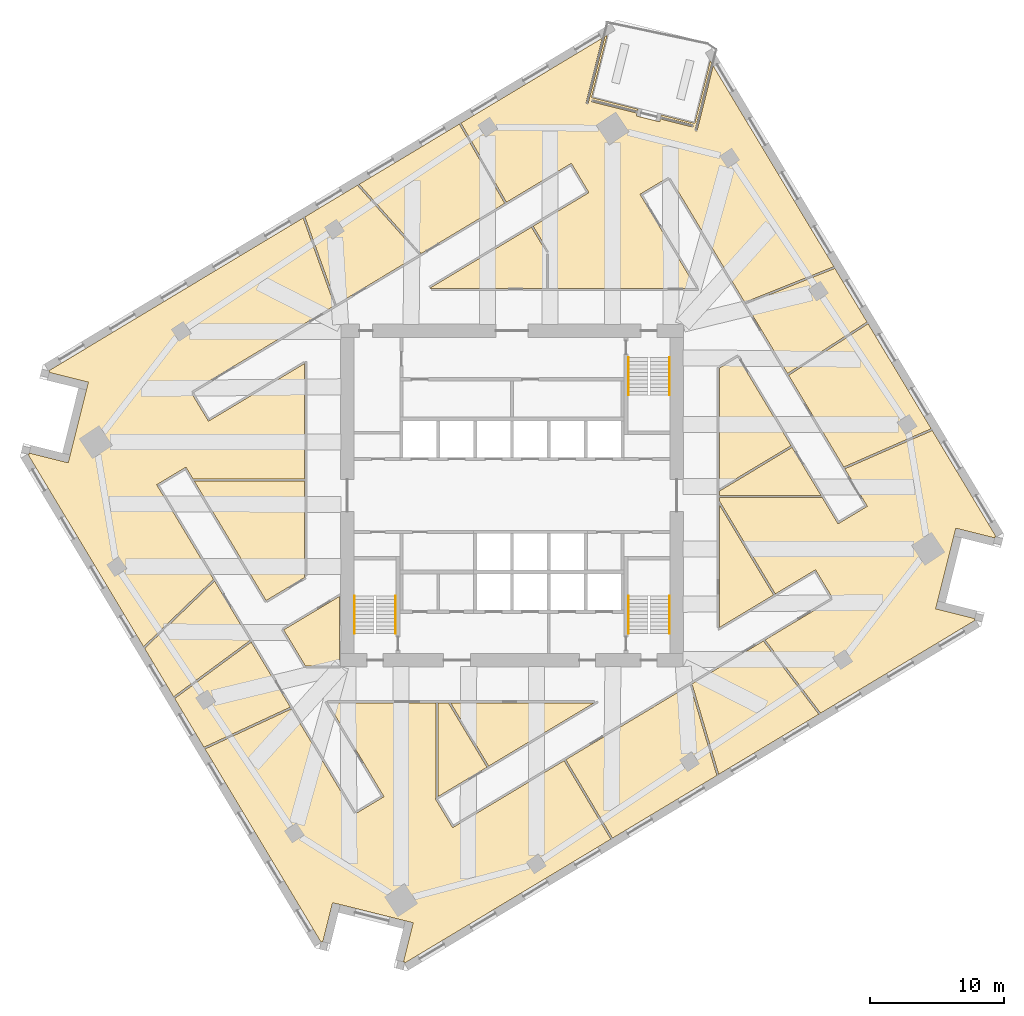
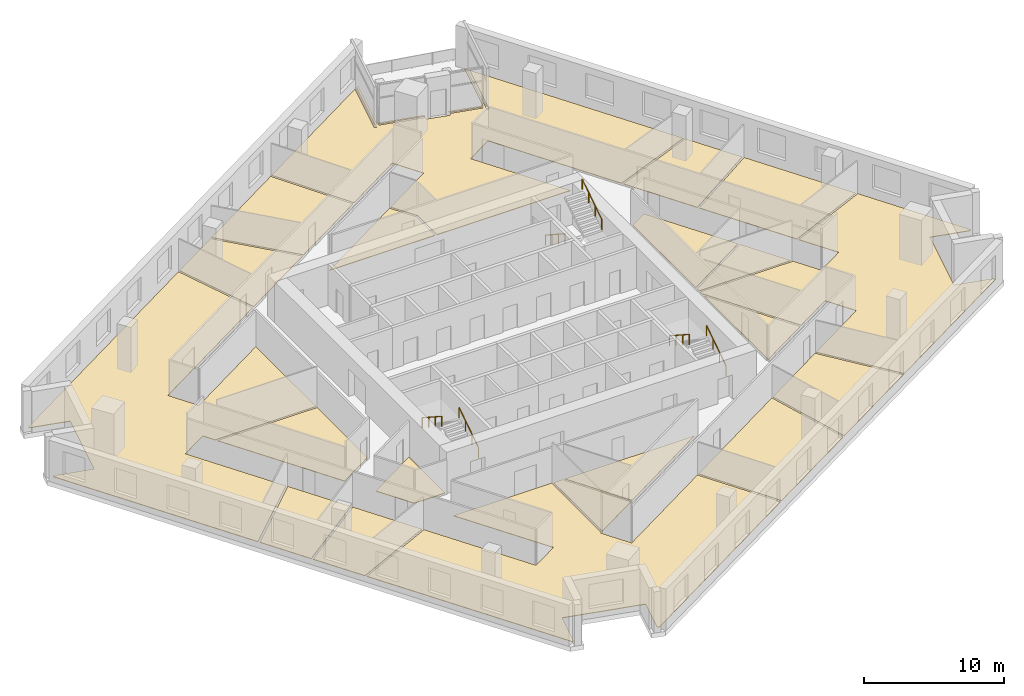
# One storey, part 12 of 14: 20 coverings, 6 railings.
"""IFC4 building model written with IfcOpenShell, lengths in metres."""

from ifc_helpers import new_model, si_unit, direction, frame, origin, origin_2d, place, context, subcontext, project, spatial, polyline, circle, outline, extrude, material, layer, layer_set, type_object, element, save


model = new_model("IFC4")

# Units and contexts
model_context = context("Model", 3, precision=1e-05, world=origin(), true_north=direction((0.0, 1.0)))
body_context = subcontext(model_context, "Body", "Model", "MODEL_VIEW")
ifc_project = project(units=[si_unit("LENGTHUNIT", "METRE"), si_unit("AREAUNIT", "SQUARE_METRE"), si_unit("VOLUMEUNIT", "CUBIC_METRE"), si_unit("PLANEANGLEUNIT", "RADIAN"), si_unit("MASSUNIT", "GRAM", prefix="KILO")], contexts=[model_context])

# Site, building, storey
site_placement = place(None, origin())
site = spatial("IfcSite", under=ifc_project, at=site_placement, CompositionType="ELEMENT")
building_placement = place(site_placement, origin())
building = spatial("IfcBuilding", under=site, at=building_placement, Name="Dilmun Exchange Tower", CompositionType="ELEMENT")
storey_placement = place(building_placement, frame((0.0, 0.0, 147.699951171875)))
storey = spatial("IfcBuildingStorey", under=building, at=storey_placement, Name="L34", CompositionType="ELEMENT", Elevation=147.699951171875)

# Coverings
ifc_material_1 = material(Name="Carpet floor finish 50")
ifc_layer_1 = layer(ifc_material_1, 0.050048828125)
ifc_layer_set_1 = layer_set([ifc_layer_1], Name="Carpet floor finish 50")
covering_type_1 = type_object("IfcCoveringType", Name="Carpet floor finish 50", PredefinedType="FLOORING", material=ifc_layer_set_1)
covering_1_placement = place(storey_placement, origin())
element("IfcCovering", 1, at=covering_1_placement, inside=storey, type_object=covering_type_1, Name="Carpet floor finish 50 Open office 1", PredefinedType="FLOORING", context=body_context, shape_type="SweptSolid", body=[
    extrude(outline(polyline([(-13.245361328125, 14.181884765625), (-23.979248046875, 7.732177734375), (-22.666015625, 5.54638671875), (-15.47509765625, 9.8671875), (-15.47509765625, 1.2392578125), (-23.818359375, 1.2392578125), (-24.343994140625, 2.114013671875), (-26.52978515625, 0.80078125), (-22.287109375, -6.260009765625), (-27.5126953125, -11.290283203125), (-36.1455078125, 3.076904296875), (-36.07666015625, 3.059814453125), (-36.076416015625, 3.059814453125), (-36.076416015625, 3.059814453125), (-36.076171875, 3.059814453125), (-36.075927734375, 3.059814453125), (-36.07568359375, 3.059814453125), (-36.075439453125, 3.059814453125), (-36.075439453125, 3.059814453125), (-36.0751953125, 3.06005859375), (-36.074951171875, 3.06005859375), (-36.074951171875, 3.060302734375), (-36.07470703125, 3.060302734375), (-36.07470703125, 3.060546875), (-36.074462890625, 3.060791015625), (-36.074462890625, 3.060791015625), (-36.07421875, 3.06103515625), (-36.07421875, 3.061279296875), (-36.0478515625, 3.167236328125), (-33.138916015625, 2.44189453125), (-33.138671875, 2.44189453125), (-33.138427734375, 2.44189453125), (-33.13818359375, 2.44189453125), (-33.13818359375, 2.44189453125), (-33.137939453125, 2.44189453125), (-33.1376953125, 2.44189453125), (-33.137451171875, 2.442138671875), (-33.13720703125, 2.442138671875), (-33.13720703125, 2.4423828125), (-33.136962890625, 2.4423828125), (-33.136962890625, 2.442626953125), (-33.13671875, 2.442626953125), (-33.13671875, 2.44287109375), (-33.13671875, 2.443115234375), (-33.136474609375, 2.443115234375), (-33.136474609375, 2.443359375), (-32.9912109375, 3.025634765625), (-32.9912109375, 3.025634765625), (-32.9912109375, 3.025634765625), (-31.78173828125, 7.876953125), (-31.781494140625, 7.877197265625), (-31.781494140625, 7.87744140625), (-31.781494140625, 7.877685546875), (-31.63671875, 8.459228515625), (-31.63671875, 8.45947265625), (-31.636474609375, 8.459716796875), (-31.636474609375, 8.4599609375), (-31.63671875, 8.460205078125), (-31.63671875, 8.460205078125), (-31.63671875, 8.46044921875), (-31.63671875, 8.460693359375), (-31.63671875, 8.460693359375), (-31.636962890625, 8.4609375), (-31.636962890625, 8.461181640625), (-31.63720703125, 8.461181640625), (-31.63720703125, 8.46142578125), (-31.637451171875, 8.46142578125), (-31.6376953125, 8.461669921875), (-31.637939453125, 8.461669921875), (-31.637939453125, 8.461669921875), (-34.546875, 9.18701171875), (-34.5205078125, 9.29296875), (-34.5205078125, 9.293212890625), (-34.5205078125, 9.29345703125), (-34.5205078125, 9.293701171875), (-34.5205078125, 9.293701171875), (-34.5205078125, 9.2939453125), (-34.5205078125, 9.294189453125), (-34.5205078125, 9.29443359375), (-34.520751953125, 9.29443359375), (-34.520751953125, 9.294677734375), (-34.52099609375, 9.294921875), (-34.52099609375, 9.294921875), (-34.521240234375, 9.295166015625), (-34.521484375, 9.295166015625), (-34.521484375, 9.29541015625), (-34.521728515625, 9.29541015625), (-34.52197265625, 9.29541015625), (-34.5908203125, 9.3125), (-15.595947265625, 20.725830078125), (-13.245361328125, 14.181884765625)])), origin(), (0.0, 0.0, 1.0), 0.050048828125),
])
covering_2_placement = place(storey_placement, origin())
element("IfcCovering", 2, at=covering_2_placement, inside=storey, type_object=covering_type_1, Name="Carpet floor finish 50 Open office 2", PredefinedType="FLOORING", context=body_context, shape_type="SweptSolid", body=[
    extrude(outline(polyline([(-4.430419921875, -24.802490234375), (3.889892578125, -19.802978515625), (7.38037109375, -25.662353515625), (-8.016845703125, -34.913818359375), (-7.999755859375, -34.844970703125), (-7.99951171875, -34.8447265625), (-7.99951171875, -34.844482421875), (-7.99951171875, -34.844482421875), (-7.99951171875, -34.84423828125), (-7.999755859375, -34.843994140625), (-7.999755859375, -34.84375), (-7.999755859375, -34.84375), (-8.0, -34.843505859375), (-8.0, -34.84326171875), (-8.0, -34.84326171875), (-8.000244140625, -34.843017578125), (-8.00048828125, -34.843017578125), (-8.00048828125, -34.8427734375), (-8.000732421875, -34.8427734375), (-8.0009765625, -34.842529296875), (-8.001220703125, -34.842529296875), (-8.107177734375, -34.816162109375), (-7.3818359375, -31.9072265625), (-7.3818359375, -31.906982421875), (-7.3818359375, -31.906982421875), (-7.3818359375, -31.90673828125), (-7.3818359375, -31.906494140625), (-7.3818359375, -31.90625), (-7.3818359375, -31.906005859375), (-7.382080078125, -31.906005859375), (-7.382080078125, -31.90576171875), (-7.382080078125, -31.905517578125), (-7.38232421875, -31.905517578125), (-7.382568359375, -31.9052734375), (-7.382568359375, -31.9052734375), (-7.3828125, -31.905029296875), (-7.383056640625, -31.905029296875), (-7.383056640625, -31.90478515625), (-7.38330078125, -31.90478515625), (-7.965576171875, -31.759765625), (-7.965576171875, -31.759765625), (-12.816650390625, -30.55029296875), (-12.81689453125, -30.550048828125), (-12.81689453125, -30.550048828125), (-13.399169921875, -30.40478515625), (-13.3994140625, -30.40478515625), (-13.399658203125, -30.40478515625), (-13.39990234375, -30.40478515625), (-13.39990234375, -30.40478515625), (-13.400146484375, -30.40478515625), (-13.400390625, -30.40478515625), (-13.400390625, -30.405029296875), (-13.400634765625, -30.405029296875), (-13.40087890625, -30.4052734375), (-13.40087890625, -30.4052734375), (-13.401123046875, -30.405517578125), (-13.4013671875, -30.405517578125), (-13.4013671875, -30.40576171875), (-13.401611328125, -30.406005859375), (-13.401611328125, -30.406005859375), (-13.401611328125, -30.40625), (-14.126953125, -33.315185546875), (-14.23291015625, -33.288818359375), (-14.233154296875, -33.288818359375), (-14.2333984375, -33.288818359375), (-14.2333984375, -33.288818359375), (-14.233642578125, -33.288818359375), (-14.23388671875, -33.288818359375), (-14.234130859375, -33.288818359375), (-14.234375, -33.2890625), (-14.234375, -33.2890625), (-14.234619140625, -33.289306640625), (-14.23486328125, -33.289306640625), (-14.23486328125, -33.28955078125), (-14.235107421875, -33.28955078125), (-14.235107421875, -33.289794921875), (-14.235107421875, -33.2900390625), (-14.2353515625, -33.2900390625), (-14.2353515625, -33.290283203125), (-14.25244140625, -33.359130859375), (-22.92333984375, -18.92822265625), (-16.4755859375, -15.93212890625), (-11.748046875, -23.80029296875), (-9.562255859375, -22.48681640625), (-13.775390625, -15.47509765625), (-5.657958984375, -15.47509765625), (-5.657958984375, -22.565185546875), (-5.743896484375, -22.61669921875), (-4.430419921875, -24.802490234375)])), origin(), (0.0, 0.0, 1.0), 0.050048828125),
])
covering_3_placement = place(storey_placement, origin())
element("IfcCovering", 3, at=covering_3_placement, inside=storey, type_object=covering_type_1, Name="Carpet floor finish 50 Executive office 1", PredefinedType="FLOORING", context=body_context, shape_type="SweptSolid", body=[
    extrude(outline(polyline([(-0.543212890625, 21.81396484375), (-6.7900390625, 18.060546875), (-11.4111328125, 23.240234375), (-3.93310546875, 27.733642578125), (-0.543212890625, 21.81396484375)])), origin(), (0.0, 0.0, 1.0), 0.050048828125),
])
covering_4_placement = place(storey_placement, origin())
element("IfcCovering", 4, at=covering_4_placement, inside=storey, type_object=covering_type_1, Name="Carpet floor finish 50 Business lounge 1", PredefinedType="FLOORING", context=body_context, shape_type="SweptSolid", body=[
    extrude(outline(polyline([(2.581787109375, 18.15576171875), (2.581787109375, 15.47509765625), (-6.11376953125, 15.47509765625), (-6.121337890625, 15.4873046875), (1.451416015625, 20.03759765625), (2.581787109375, 18.15576171875)])), origin(), (0.0, 0.0, 1.0), 0.050048828125),
])
covering_5_placement = place(storey_placement, origin())
element("IfcCovering", 5, at=covering_5_placement, inside=storey, type_object=covering_type_1, Name="Carpet floor finish 50 Garden lounge", PredefinedType="FLOORING", context=body_context, shape_type="SweptSolid", body=[
    extrude(outline(polyline([(2.73193359375, 15.47509765625), (2.73193359375, 18.197509765625), (1.579833984375, 20.11474609375), (5.743896484375, 22.61669921875), (4.430419921875, 24.802490234375), (-0.41455078125, 21.891357421875), (-3.804443359375, 27.810791015625), (6.734619140625, 34.143310546875), (5.521728515625, 29.279052734375), (5.521728515625, 29.27880859375), (5.521728515625, 29.27880859375), (5.521728515625, 29.278564453125), (5.521728515625, 29.2783203125), (5.521728515625, 29.2783203125), (5.52197265625, 29.278076171875), (5.52197265625, 29.27783203125), (5.522216796875, 29.277587890625), (5.522216796875, 29.277587890625), (5.522216796875, 29.27734375), (5.5224609375, 29.277099609375), (5.522705078125, 29.277099609375), (5.522705078125, 29.27685546875), (5.52294921875, 29.27685546875), (5.523193359375, 29.27685546875), (5.523193359375, 29.276611328125), (5.678466796875, 29.238037109375), (5.6787109375, 29.238037109375), (5.678955078125, 29.23779296875), (5.67919921875, 29.23779296875), (5.67919921875, 29.238037109375), (5.679443359375, 29.238037109375), (5.6796875, 29.238037109375), (5.679931640625, 29.238037109375), (5.68017578125, 29.23828125), (5.68017578125, 29.23828125), (5.680419921875, 29.238525390625), (5.680419921875, 29.238525390625), (5.6806640625, 29.23876953125), (5.6806640625, 29.239013671875), (5.680908203125, 29.239013671875), (5.680908203125, 29.2392578125), (5.680908203125, 29.239501953125), (6.933349609375, 34.2626953125), (7.106689453125, 34.366943359375), (5.94677734375, 29.71435546875), (9.403076171875, 28.8525390625), (9.368408203125, 28.7138671875), (5.98486328125, 29.557373046875), (5.984619140625, 29.557373046875), (5.984375, 29.557373046875), (5.984375, 29.557373046875), (5.984130859375, 29.557373046875), (5.98388671875, 29.557373046875), (5.983642578125, 29.557373046875), (5.9833984375, 29.55712890625), (5.9833984375, 29.55712890625), (5.983154296875, 29.556884765625), (5.98291015625, 29.556884765625), (5.98291015625, 29.556884765625), (5.982666015625, 29.556640625), (5.982666015625, 29.556396484375), (5.982421875, 29.556396484375), (5.982421875, 29.55615234375), (5.982421875, 29.555908203125), (5.943603515625, 29.400634765625), (5.943603515625, 29.400390625), (5.943603515625, 29.400390625), (5.943603515625, 29.400146484375), (5.943603515625, 29.39990234375), (5.943603515625, 29.399658203125), (5.94384765625, 29.3994140625), (5.94384765625, 29.3994140625), (5.94384765625, 29.399169921875), (5.944091796875, 29.39892578125), (5.944091796875, 29.398681640625), (5.9443359375, 29.398681640625), (5.944580078125, 29.398681640625), (5.944580078125, 29.3984375), (5.94482421875, 29.3984375), (5.945068359375, 29.398193359375), (5.9453125, 29.398193359375), (9.32861328125, 28.5546875), (9.27587890625, 28.34326171875), (9.27587890625, 28.343017578125), (9.27587890625, 28.3427734375), (9.27587890625, 28.342529296875), (9.27587890625, 28.34228515625), (9.27587890625, 28.34228515625), (9.27587890625, 28.342041015625), (9.276123046875, 28.341796875), (9.276123046875, 28.341796875), (9.2763671875, 28.341552734375), (9.2763671875, 28.34130859375), (9.276611328125, 28.34130859375), (9.276611328125, 28.341064453125), (9.27685546875, 28.341064453125), (9.277099609375, 28.3408203125), (9.277099609375, 28.3408203125), (9.27734375, 28.3408203125), (11.02392578125, 27.9052734375), (11.024169921875, 27.9052734375), (11.0244140625, 27.9052734375), (11.0244140625, 27.9052734375), (11.024658203125, 27.9052734375), (11.02490234375, 27.9052734375), (11.025146484375, 27.9052734375), (11.025390625, 27.905517578125), (11.025390625, 27.905517578125), (11.025634765625, 27.905517578125), (11.02587890625, 27.90576171875), (11.02587890625, 27.906005859375), (11.02587890625, 27.906005859375), (11.026123046875, 27.90625), (11.026123046875, 27.906494140625), (11.0263671875, 27.906494140625), (11.0263671875, 27.90673828125), (11.0791015625, 28.118408203125), (13.4921875, 27.5166015625), (13.492431640625, 27.5166015625), (13.49267578125, 27.5166015625), (13.492919921875, 27.5166015625), (13.492919921875, 27.5166015625), (13.4931640625, 27.5166015625), (13.493408203125, 27.5166015625), (13.49365234375, 27.5166015625), (13.493896484375, 27.516845703125), (13.493896484375, 27.516845703125), (13.494140625, 27.51708984375), (13.494140625, 27.51708984375), (13.494384765625, 27.517333984375), (13.494384765625, 27.517578125), (13.49462890625, 27.517578125), (13.49462890625, 27.517822265625), (13.49462890625, 27.51806640625), (13.533447265625, 27.673095703125), (13.533447265625, 27.67333984375), (13.533447265625, 27.673583984375), (13.533447265625, 27.673828125), (13.533447265625, 27.674072265625), (13.533447265625, 27.67431640625), (13.533203125, 27.67431640625), (13.533203125, 27.674560546875), (13.533203125, 27.6748046875), (13.533203125, 27.6748046875), (13.532958984375, 27.675048828125), (13.53271484375, 27.67529296875), (13.53271484375, 27.67529296875), (13.532470703125, 27.67529296875), (13.5322265625, 27.675537109375), (13.531982421875, 27.675537109375), (13.531982421875, 27.67578125), (11.118896484375, 28.27734375), (11.1533203125, 28.416015625), (13.639404296875, 27.79638671875), (14.79931640625, 32.448974609375), (14.903564453125, 32.275634765625), (13.651123046875, 27.252197265625), (13.651123046875, 27.252197265625), (13.651123046875, 27.251953125), (13.651123046875, 27.251708984375), (13.651123046875, 27.251708984375), (13.651123046875, 27.25146484375), (13.651123046875, 27.251220703125), (13.6513671875, 27.2509765625), (13.6513671875, 27.250732421875), (13.651611328125, 27.250732421875), (13.651611328125, 27.25048828125), (13.651611328125, 27.25048828125), (13.65185546875, 27.250244140625), (13.652099609375, 27.25), (13.652099609375, 27.25), (13.65234375, 27.25), (13.652587890625, 27.25), (13.807861328125, 27.211181640625), (13.80810546875, 27.211181640625), (13.80810546875, 27.211181640625), (13.808349609375, 27.211181640625), (13.80859375, 27.211181640625), (13.808837890625, 27.211181640625), (13.80908203125, 27.211181640625), (13.80908203125, 27.211181640625), (13.809326171875, 27.21142578125), (13.8095703125, 27.21142578125), (13.809814453125, 27.211669921875), (13.809814453125, 27.2119140625), (13.809814453125, 27.2119140625), (13.81005859375, 27.212158203125), (13.81005859375, 27.21240234375), (13.810302734375, 27.21240234375), (13.810302734375, 27.212646484375), (15.02294921875, 32.076904296875), (24.029052734375, 17.088134765625), (17.380126953125, 14.4267578125), (11.748046875, 23.80029296875), (9.562255859375, 22.48681640625), (13.775390625, 15.47509765625), (2.73193359375, 15.47509765625)])), origin(), (0.0, 0.0, 1.0), 0.050048828125),
])
covering_6_placement = place(storey_placement, origin())
element("IfcCovering", 6, at=covering_6_placement, inside=storey, type_object=covering_type_1, Name="Carpet floor finish 50 Business lounge 2", PredefinedType="FLOORING", context=body_context, shape_type="SweptSolid", body=[
    extrude(outline(polyline([(4.0185546875, -19.725830078125), (13.306640625, -14.14501953125), (15.30029296875, -20.903564453125), (7.5087890625, -25.5849609375), (4.0185546875, -19.725830078125)])), origin(), (0.0, 0.0, 1.0), 0.050048828125),
])
covering_7_placement = place(storey_placement, origin())
element("IfcCovering", 7, at=covering_7_placement, inside=storey, type_object=covering_type_1, Name="Carpet floor finish 50 Executive office 2", PredefinedType="FLOORING", context=body_context, shape_type="SweptSolid", body=[
    extrude(outline(polyline([(13.439453125, -14.065185546875), (18.770263671875, -10.862060546875), (22.90869140625, -16.331787109375), (15.43310546875, -20.82373046875), (13.439453125, -14.065185546875)])), origin(), (0.0, 0.0, 1.0), 0.050048828125),
])
covering_8_placement = place(storey_placement, origin())
element("IfcCovering", 8, at=covering_8_placement, inside=storey, type_object=covering_type_1, Name="Carpet floor finish 50 Library", PredefinedType="FLOORING", context=body_context, shape_type="SweptSolid", body=[
    extrude(outline(polyline([(24.77294921875, 2.123291015625), (20.6552734375, 8.97607421875), (26.58740234375, 12.830322265625), (31.301513671875, 4.985107421875), (24.77294921875, 2.123291015625)])), origin(), (0.0, 0.0, 1.0), 0.050048828125),
])
covering_9_placement = place(storey_placement, origin())
element("IfcCovering", 9, at=covering_9_placement, inside=storey, type_object=covering_type_1, Name="Carpet floor finish 50 Business lounge 3", PredefinedType="FLOORING", context=body_context, shape_type="SweptSolid", body=[
    extrude(outline(polyline([(24.343994140625, -2.114013671875), (26.52978515625, -0.80078125), (24.850830078125, 1.993408203125), (31.37939453125, 4.85546875), (36.1455078125, -3.076904296875), (36.07666015625, -3.059814453125), (36.076416015625, -3.059814453125), (36.076416015625, -3.059814453125), (36.076171875, -3.059814453125), (36.075927734375, -3.059814453125), (36.07568359375, -3.059814453125), (36.075439453125, -3.059814453125), (36.075439453125, -3.059814453125), (36.0751953125, -3.06005859375), (36.074951171875, -3.06005859375), (36.074951171875, -3.060302734375), (36.07470703125, -3.060302734375), (36.07470703125, -3.060546875), (36.074462890625, -3.060791015625), (36.074462890625, -3.060791015625), (36.07421875, -3.06103515625), (36.07421875, -3.061279296875), (36.0478515625, -3.167236328125), (33.138916015625, -2.44189453125), (33.138671875, -2.44189453125), (33.138427734375, -2.44189453125), (33.13818359375, -2.44189453125), (33.13818359375, -2.44189453125), (33.137939453125, -2.44189453125), (33.1376953125, -2.44189453125), (33.137451171875, -2.442138671875), (33.13720703125, -2.442138671875), (33.13720703125, -2.4423828125), (33.136962890625, -2.4423828125), (33.136962890625, -2.442626953125), (33.13671875, -2.442626953125), (33.13671875, -2.44287109375), (33.13671875, -2.443115234375), (33.136474609375, -2.443115234375), (33.136474609375, -2.443359375), (32.9912109375, -3.025634765625), (32.9912109375, -3.025634765625), (32.9912109375, -3.025634765625), (31.78173828125, -7.876953125), (31.781494140625, -7.877197265625), (31.781494140625, -7.87744140625), (31.781494140625, -7.877685546875), (31.63671875, -8.459228515625), (31.63671875, -8.45947265625), (31.636474609375, -8.459716796875), (31.636474609375, -8.4599609375), (31.63671875, -8.460205078125), (31.63671875, -8.460205078125), (31.63671875, -8.46044921875), (31.63671875, -8.460693359375), (31.63671875, -8.460693359375), (31.636962890625, -8.4609375), (31.636962890625, -8.461181640625), (31.63720703125, -8.461181640625), (31.63720703125, -8.46142578125), (31.637451171875, -8.46142578125), (31.6376953125, -8.461669921875), (31.637939453125, -8.461669921875), (31.637939453125, -8.461669921875), (34.546875, -9.18701171875), (34.5205078125, -9.29296875), (34.5205078125, -9.293212890625), (34.5205078125, -9.29345703125), (34.5205078125, -9.293701171875), (34.5205078125, -9.293701171875), (34.5205078125, -9.2939453125), (34.5205078125, -9.294189453125), (34.5205078125, -9.29443359375), (34.520751953125, -9.29443359375), (34.520751953125, -9.294677734375), (34.52099609375, -9.294921875), (34.52099609375, -9.294921875), (34.521240234375, -9.295166015625), (34.521484375, -9.295166015625), (34.521484375, -9.29541015625), (34.521728515625, -9.29541015625), (34.52197265625, -9.29541015625), (34.5908203125, -9.3125), (23.0380859375, -16.254150390625), (18.899658203125, -10.7841796875), (23.979248046875, -7.732177734375), (22.666015625, -5.54638671875), (19.66162109375, -7.3515625), (15.47509765625, -0.3837890625), (15.47509765625, -0.13134765625), (23.152587890625, -0.13134765625), (24.343994140625, -2.114013671875)])), origin(), (0.0, 0.0, 1.0), 0.050048828125),
])

# Railings
ifc_material_2 = material(Name="Stainless steel", Category="steel")
railing_type = type_object("IfcRailingType", Name="Stair handrail 900", PredefinedType="HANDRAIL", material=ifc_material_2)
railing_1_placement = place(storey_placement, frame((8.699951171875, 10.300048828125, 0.181884765625)))
element("IfcRailing", 10, at=railing_1_placement, inside=storey, type_object=railing_type, Name="L34 ST1 stair handrail 1", PredefinedType="HANDRAIL", context=body_context, shape_type="SweptSolid", body=[
    extrude(circle(Radius=0.02392578125, at=origin_2d()), frame((0.0, 0.0, 0.8759765625), z_axis=(0.0, -0.838705829183, 0.544584733623), x_axis=(1.0, 0.0, 0.0)), (0.0, 0.0, 1.0), 3.338623046875),
    extrude(circle(Radius=0.02099609375, at=origin_2d()), origin(), (0.0, 0.0, 1.0), 0.851806640625),
    extrude(circle(Radius=0.02099609375, at=origin_2d()), frame((0.0, -0.933349609375, 0.60595703125)), (0.0, 0.0, 1.0), 0.851806640625),
    extrude(circle(Radius=0.02099609375, at=origin_2d()), frame((0.0, -1.86669921875, 1.212158203125)), (0.0, 0.0, 1.0), 0.851806640625),
    extrude(circle(Radius=0.02099609375, at=origin_2d()), frame((0.0, -2.800048828125, 1.818115234375)), (0.0, 0.0, 1.0), 0.851806640625),
])
for number, where, name in (
    (11, (11.75, 7.5, 2.181884765625), "L34 ST1 stair handrail 2"),
    (12, (-8.699951171875, -10.300048828125, 0.181884765625), "L34 ST2 stair handrail 1"),
):
    element("IfcRailing", number, at=place(storey_placement, frame(where)), inside=storey, type_object=railing_type, Name=name, PredefinedType="HANDRAIL", context=body_context, shape_type="SweptSolid", body=[
        extrude(circle(Radius=0.02392578125, at=origin_2d()), frame((0.0, 0.0, 0.8759765625), z_axis=(0.0, 0.838705829183, 0.544584733623), x_axis=(-1.0, 0.0, 0.0)), (0.0, 0.0, 1.0), 3.338623046875),
        extrude(circle(Radius=0.02099609375, at=origin_2d()), origin(), (0.0, 0.0, 1.0), 0.851806640625),
        extrude(circle(Radius=0.02099609375, at=origin_2d()), frame((0.0, 0.933349609375, 0.60595703125)), (0.0, 0.0, 1.0), 0.851806640625),
        extrude(circle(Radius=0.02099609375, at=origin_2d()), frame((0.0, 1.86669921875, 1.212158203125)), (0.0, 0.0, 1.0), 0.851806640625),
        extrude(circle(Radius=0.02099609375, at=origin_2d()), frame((0.0, 2.800048828125, 1.818115234375)), (0.0, 0.0, 1.0), 0.851806640625),
    ])
railing_2_placement = place(storey_placement, frame((-11.75, -7.5, 2.181884765625)))
element("IfcRailing", 13, at=railing_2_placement, inside=storey, type_object=railing_type, Name="L34 ST2 stair handrail 2", PredefinedType="HANDRAIL", context=body_context, shape_type="SweptSolid", body=[
    extrude(circle(Radius=0.02392578125, at=origin_2d()), frame((0.0, 0.0, 0.8759765625), z_axis=(0.0, -0.838705829183, 0.544584733623), x_axis=(1.0, 0.0, 0.0)), (0.0, 0.0, 1.0), 3.338623046875),
    extrude(circle(Radius=0.02099609375, at=origin_2d()), origin(), (0.0, 0.0, 1.0), 0.851806640625),
    extrude(circle(Radius=0.02099609375, at=origin_2d()), frame((0.0, -0.933349609375, 0.60595703125)), (0.0, 0.0, 1.0), 0.851806640625),
    extrude(circle(Radius=0.02099609375, at=origin_2d()), frame((0.0, -1.86669921875, 1.212158203125)), (0.0, 0.0, 1.0), 0.851806640625),
    extrude(circle(Radius=0.02099609375, at=origin_2d()), frame((0.0, -2.800048828125, 1.818115234375)), (0.0, 0.0, 1.0), 0.851806640625),
])
railing_3_placement = place(storey_placement, frame((11.75, -10.300048828125, 0.181884765625)))
element("IfcRailing", 14, at=railing_3_placement, inside=storey, type_object=railing_type, Name="L34 ST3 stair handrail 1", PredefinedType="HANDRAIL", context=body_context, shape_type="SweptSolid", body=[
    extrude(circle(Radius=0.02392578125, at=origin_2d()), frame((0.0, 0.0, 0.8759765625), z_axis=(0.0, 0.838705829183, 0.544584733623), x_axis=(-1.0, 0.0, 0.0)), (0.0, 0.0, 1.0), 3.338623046875),
    extrude(circle(Radius=0.02099609375, at=origin_2d()), origin(), (0.0, 0.0, 1.0), 0.851806640625),
    extrude(circle(Radius=0.02099609375, at=origin_2d()), frame((0.0, 0.933349609375, 0.60595703125)), (0.0, 0.0, 1.0), 0.851806640625),
    extrude(circle(Radius=0.02099609375, at=origin_2d()), frame((0.0, 1.86669921875, 1.212158203125)), (0.0, 0.0, 1.0), 0.851806640625),
    extrude(circle(Radius=0.02099609375, at=origin_2d()), frame((0.0, 2.800048828125, 1.818115234375)), (0.0, 0.0, 1.0), 0.851806640625),
])
railing_4_placement = place(storey_placement, frame((8.699951171875, -7.5, 2.181884765625)))
element("IfcRailing", 15, at=railing_4_placement, inside=storey, type_object=railing_type, Name="L34 ST3 stair handrail 2", PredefinedType="HANDRAIL", context=body_context, shape_type="SweptSolid", body=[
    extrude(circle(Radius=0.02392578125, at=origin_2d()), frame((0.0, 0.0, 0.8759765625), z_axis=(0.0, -0.838705829183, 0.544584733623), x_axis=(1.0, 0.0, 0.0)), (0.0, 0.0, 1.0), 3.338623046875),
    extrude(circle(Radius=0.02099609375, at=origin_2d()), origin(), (0.0, 0.0, 1.0), 0.851806640625),
    extrude(circle(Radius=0.02099609375, at=origin_2d()), frame((0.0, -0.933349609375, 0.60595703125)), (0.0, 0.0, 1.0), 0.851806640625),
    extrude(circle(Radius=0.02099609375, at=origin_2d()), frame((0.0, -1.86669921875, 1.212158203125)), (0.0, 0.0, 1.0), 0.851806640625),
    extrude(circle(Radius=0.02099609375, at=origin_2d()), frame((0.0, -2.800048828125, 1.818115234375)), (0.0, 0.0, 1.0), 0.851806640625),
])

# Coverings
ifc_material_3 = material(Name="Stone floor finish 50", Category="masonry")
ifc_layer_2 = layer(ifc_material_3, 0.050048828125)
ifc_layer_set_2 = layer_set([ifc_layer_2], Name="Stone floor finish 50")
covering_type_2 = type_object("IfcCoveringType", Name="Stone floor finish 50", PredefinedType="FLOORING", material=ifc_layer_set_2)
covering_10_placement = place(storey_placement, origin())
element("IfcCovering", 16, at=covering_10_placement, inside=storey, type_object=covering_type_2, Name="Stone floor finish 50 Reception 1", PredefinedType="FLOORING", context=body_context, shape_type="SweptSolid", body=[
    extrude(outline(polyline([(-22.2080078125, -6.39208984375), (-19.5498046875, -10.81591796875), (-25.2666015625, -15.02880859375), (-27.43359375, -11.42236328125), (-22.2080078125, -6.39208984375)])), origin(), (0.0, 0.0, 1.0), 0.050048828125),
])
covering_11_placement = place(storey_placement, origin())
element("IfcCovering", 17, at=covering_11_placement, inside=storey, type_object=covering_type_2, Name="Stone floor finish 50 Reception 2", PredefinedType="FLOORING", context=body_context, shape_type="SweptSolid", body=[
    extrude(outline(polyline([(-23.728271484375, 1.089111328125), (-15.47509765625, 1.089111328125), (-15.47509765625, -6.11376953125), (-18.35888671875, -7.8466796875), (-23.728271484375, 1.089111328125)])), origin(), (0.0, 0.0, 1.0), 0.050048828125),
])
covering_12_placement = place(storey_placement, origin())
element("IfcCovering", 18, at=covering_12_placement, inside=storey, type_object=covering_type_2, Name="Stone floor finish 50 Reception 3", PredefinedType="FLOORING", context=body_context, shape_type="SweptSolid", body=[
    extrude(outline(polyline([(-12.875, -7.526611328125), (-12.875, -12.72509765625), (-15.427734375, -12.72509765625), (-17.045654296875, -10.032470703125), (-12.875, -7.526611328125)])), origin(), (0.0, 0.0, 1.0), 0.050048828125),
])
covering_13_placement = place(storey_placement, origin())
element("IfcCovering", 19, at=covering_13_placement, inside=storey, type_object=covering_type_2, Name="Stone floor finish 50 Reception 4", PredefinedType="FLOORING", context=body_context, shape_type="SweptSolid", body=[
    extrude(outline(polyline([(-1.8662109375, -20.286865234375), (-5.508056640625, -22.47509765625), (-5.508056640625, -15.47509765625), (-4.757568359375, -15.47509765625), (-1.8662109375, -20.286865234375)])), origin(), (0.0, 0.0, 1.0), 0.050048828125),
])
covering_14_placement = place(storey_placement, origin())
element("IfcCovering", 20, at=covering_14_placement, inside=storey, type_object=covering_type_2, Name="Stone floor finish 50 Reception 5", PredefinedType="FLOORING", context=body_context, shape_type="SweptSolid", body=[
    extrude(outline(polyline([(15.47509765625, -0.675048828125), (19.533203125, -7.4287109375), (15.47509765625, -9.8671875), (15.47509765625, -0.675048828125)])), origin(), (0.0, 0.0, 1.0), 0.050048828125),
])
covering_15_placement = place(storey_placement, origin())
element("IfcCovering", 21, at=covering_15_placement, inside=storey, type_object=covering_type_2, Name="Stone floor finish 50 Reception 6", PredefinedType="FLOORING", context=body_context, shape_type="SweptSolid", body=[
    extrude(outline(polyline([(15.47509765625, 9.5078125), (16.860595703125, 10.34033203125), (20.83837890625, 3.72021484375), (15.47509765625, 0.49755859375), (15.47509765625, 9.5078125)])), origin(), (0.0, 0.0, 1.0), 0.050048828125),
])
covering_16_placement = place(storey_placement, origin())
element("IfcCovering", 22, at=covering_16_placement, inside=storey, type_object=covering_type_2, Name="Stone floor finish 50 Reception 7", PredefinedType="FLOORING", context=body_context, shape_type="SweptSolid", body=[
    extrude(outline(polyline([(23.0625, 0.018798828125), (15.47509765625, 0.018798828125), (15.47509765625, 0.322509765625), (20.91552734375, 3.591796875), (23.0625, 0.018798828125)])), origin(), (0.0, 0.0, 1.0), 0.050048828125),
])
covering_17_placement = place(storey_placement, origin())
element("IfcCovering", 23, at=covering_17_placement, inside=storey, type_object=covering_type_2, Name="Stone floor finish 50 Reception 8", PredefinedType="FLOORING", context=body_context, shape_type="SweptSolid", body=[
    extrude(outline(polyline([(20.577880859375, 9.104736328125), (17.45849609375, 14.29638671875), (24.107421875, 16.9580078125), (26.51025390625, 12.958984375), (20.577880859375, 9.104736328125)])), origin(), (0.0, 0.0, 1.0), 0.050048828125),
])
ifc_material_4 = material(Name="Tile floor finish 50")
ifc_layer_3 = layer(ifc_material_4, 0.050048828125)
ifc_layer_set_3 = layer_set([ifc_layer_3], Name="Tile floor finish 50")
covering_type_3 = type_object("IfcCoveringType", Name="Tile floor finish 50", PredefinedType="FLOORING", material=ifc_layer_set_3)
covering_18_placement = place(storey_placement, origin())
element("IfcCovering", 24, at=covering_18_placement, inside=storey, type_object=covering_type_3, Name="Tile floor finish 50 Pantry 1", PredefinedType="FLOORING", context=body_context, shape_type="SweptSolid", body=[
    extrude(outline(polyline([(-19.47216796875, -10.9453125), (-16.553466796875, -15.802734375), (-23.001220703125, -18.799072265625), (-25.18896484375, -15.157958984375), (-19.47216796875, -10.9453125)])), origin(), (0.0, 0.0, 1.0), 0.050048828125),
])
covering_19_placement = place(storey_placement, origin())
element("IfcCovering", 25, at=covering_19_placement, inside=storey, type_object=covering_type_3, Name="Tile floor finish 50 Pantry 2", PredefinedType="FLOORING", context=body_context, shape_type="SweptSolid", body=[
    extrude(outline(polyline([(-6.9208984375, 17.98193359375), (-13.1142578125, 14.260498046875), (-15.465087890625, 20.804443359375), (-11.5419921875, 23.16162109375), (-6.9208984375, 17.98193359375)])), origin(), (0.0, 0.0, 1.0), 0.050048828125),
])
covering_20_placement = place(storey_placement, origin())
element("IfcCovering", 26, at=covering_20_placement, inside=storey, type_object=covering_type_3, Name="Tile floor finish 50 Pantry 3", PredefinedType="FLOORING", context=body_context, shape_type="SweptSolid", body=[
    extrude(outline(polyline([(-1.73779296875, -20.209716796875), (-4.58251953125, -15.47509765625), (6.14208984375, -15.47509765625), (-1.73779296875, -20.209716796875)])), origin(), (0.0, 0.0, 1.0), 0.050048828125),
])

save(model, "model.ifc")
